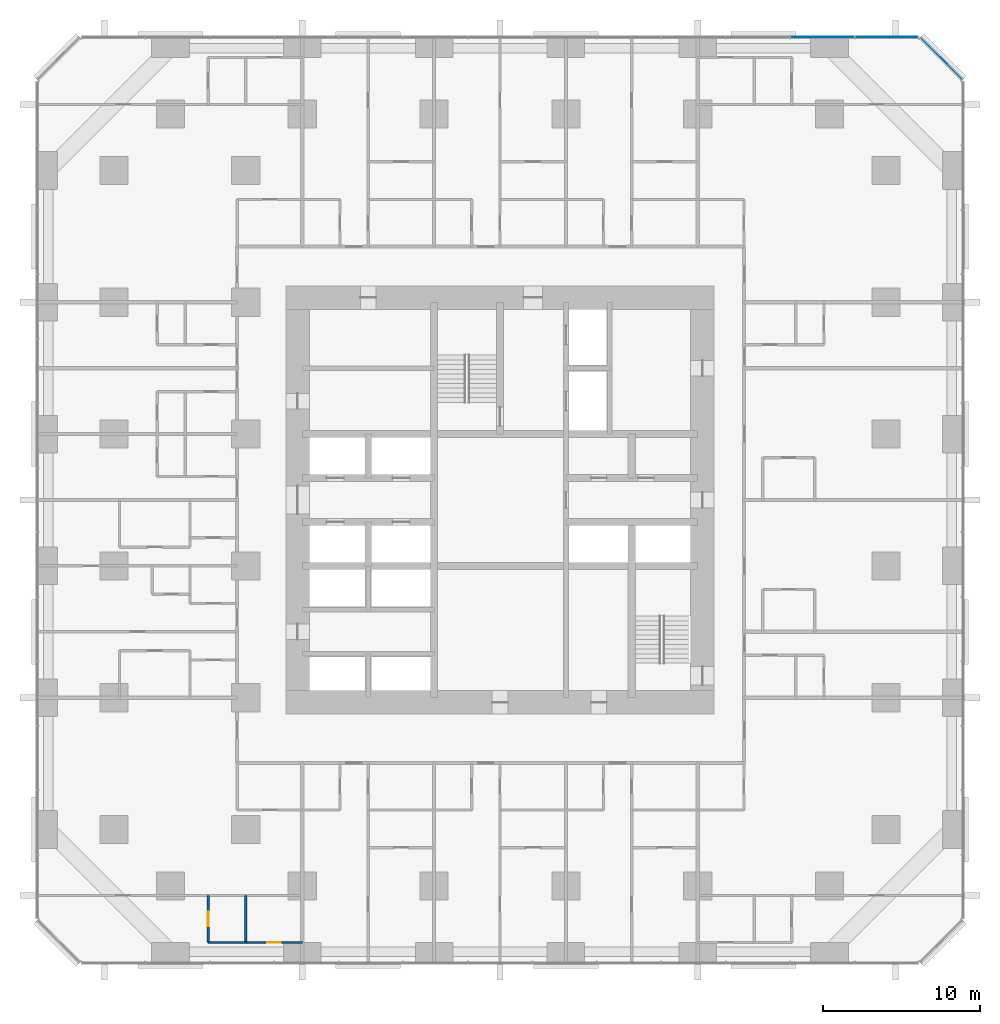
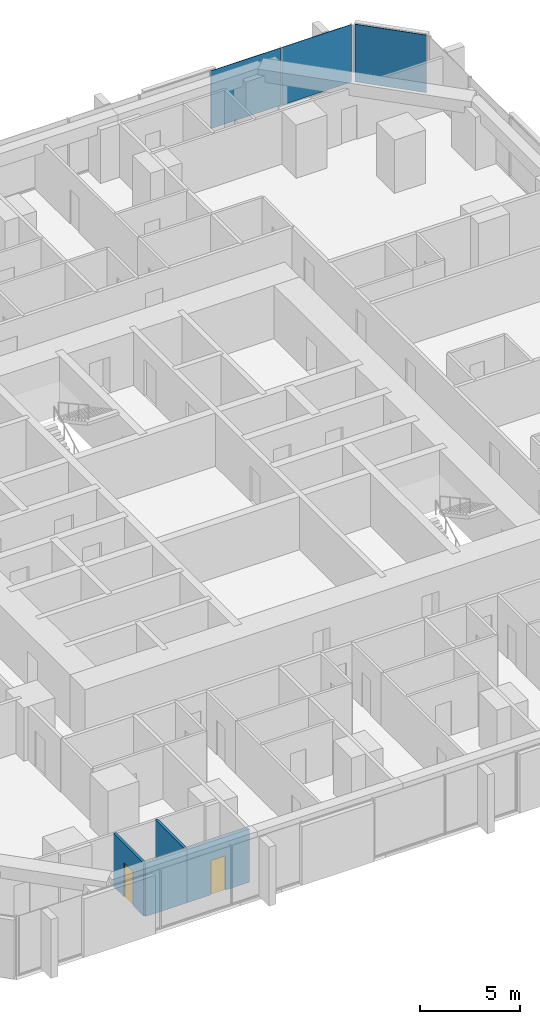
# One storey, part 10 of 17: 4 walls, 3 plates, 2 doors, 2 openings, 2 elements without a shape of their own.
"""IFC4 building model written with IfcOpenShell, lengths in metres."""

from ifc_helpers import new_model, si_unit, direction, frame, frame_2d, origin, origin_2d, place, context, subcontext, project, spatial, rectangle, extrude, material, layer, layer_set, type_object, element, fill, aggregate, save


model = new_model("IFC4")

# Units and contexts
model_context = context("Model", 3, precision=1e-05, world=origin(), true_north=direction((0.0, 1.0)))
body_context = subcontext(model_context, "Body", "Model", "MODEL_VIEW")
ifc_project = project(units=[si_unit("LENGTHUNIT", "METRE"), si_unit("AREAUNIT", "SQUARE_METRE"), si_unit("VOLUMEUNIT", "CUBIC_METRE"), si_unit("PLANEANGLEUNIT", "RADIAN"), si_unit("MASSUNIT", "GRAM", prefix="KILO")], contexts=[model_context])

# Site, building, storey
site_placement = place(None, origin())
site = spatial("IfcSite", under=ifc_project, at=site_placement, CompositionType="ELEMENT")
building_placement = place(site_placement, origin())
building = spatial("IfcBuilding", under=site, at=building_placement, Name="Dunama Terrace Hotel", CompositionType="ELEMENT")
storey_placement = place(building_placement, frame((0.0, 0.0, 52.199951171875)))
storey = spatial("IfcBuildingStorey", under=building, at=storey_placement, Name="L12", CompositionType="ELEMENT", Elevation=52.199951171875)

# Curtain wall, plates
ifc_material_1 = material(Name="Aluminium curtain wall system", Category="aluminium")
curtain_wall_type = type_object("IfcCurtainWallType", Name="Unitised fritted glass wall CW-A", PredefinedType="NOTDEFINED", material=ifc_material_1)
curtain_wall_1_placement = place(storey_placement, origin())
curtain_wall_1 = element("IfcCurtainWall", 1, at=curtain_wall_1_placement, inside=storey, type_object=curtain_wall_type, Name="Unitised fritted glass wall CW-A L12", PredefinedType="NOTDEFINED")
ifc_material_2 = material(Name="Laminated glass", Category="glass")
ifc_layer_1 = layer(ifc_material_2, 0.030029296875)
ifc_layer_set_1 = layer_set([ifc_layer_1], Name="CWA clear glass panel")
plate_type_1 = type_object("IfcPlateType", Name="CWA clear glass panel", PredefinedType="CURTAIN_PANEL", material=ifc_layer_set_1)
plate_1_placement = place(storey_placement, frame((49.93798828125, 58.89990234375, 0.0751953125), z_axis=(0.0, 0.0, 1.0), x_axis=(-1.0, 0.0, 0.0)))
plate_1 = element("IfcPlate", 2, at=plate_1_placement, type_object=plate_type_1, Name="CWA clear glass panel", PredefinedType="CURTAIN_PANEL", context=body_context, shape_type="SweptSolid", body=[
    extrude(rectangle(XDim=4.042724609375, YDim=0.030029296875, at=origin_2d()), origin(), (0.0, 0.0, 1.0), 3.52490234375),
])
ifc_material_3 = material(Name="Fritted laminated glass", Category="glass")
ifc_layer_2 = layer(ifc_material_3, 0.030029296875)
ifc_layer_set_2 = layer_set([ifc_layer_2], Name="CWA fritted glass panel")
plate_type_2 = type_object("IfcPlateType", Name="CWA fritted glass panel", PredefinedType="CURTAIN_PANEL", material=ifc_layer_set_2)
plate_2_placement = place(storey_placement, frame((54.030029296875, 58.89990234375, 0.0751953125), z_axis=(0.0, 0.0, 1.0), x_axis=(-1.0, 0.0, 0.0)))
plate_2 = element("IfcPlate", 3, at=plate_2_placement, type_object=plate_type_2, Name="CWA fritted glass panel", PredefinedType="CURTAIN_PANEL", context=body_context, shape_type="SweptSolid", body=[
    extrude(rectangle(XDim=4.01025390625, YDim=0.030029296875, at=origin_2d()), origin(), (0.0, 0.0, 1.0), 3.52490234375),
])
aggregate(curtain_wall_1, [plate_2, plate_1])

# Curtain wall, plate
curtain_wall_2_placement = place(storey_placement, origin())
curtain_wall_2 = element("IfcCurtainWall", 4, at=curtain_wall_2_placement, inside=storey, type_object=curtain_wall_type, Name="Unitised fritted glass wall CW-A L12", PredefinedType="NOTDEFINED")
ifc_material_4 = material(Name="Laminated glass", Category="glass")
ifc_layer_3 = layer(ifc_material_4, 0.030029296875)
ifc_layer_set_3 = layer_set([ifc_layer_3], Name="CWA operable glass panel")
plate_type_3 = type_object("IfcPlateType", Name="CWA operable glass panel", PredefinedType="CURTAIN_PANEL", material=ifc_layer_set_3)
plate_3_placement = place(storey_placement, frame((57.52099609375, 57.52099609375, 0.0751953125), z_axis=(0.0, 0.0, 1.0), x_axis=(-0.707106781187, 0.707106781187, 0.0)))
plate_3 = element("IfcPlate", 5, at=plate_3_placement, type_object=plate_type_3, Name="CWA operable glass panel", PredefinedType="CURTAIN_PANEL", context=body_context, shape_type="SweptSolid", body=[
    extrude(rectangle(XDim=3.6884765625, YDim=0.030029296875, at=origin_2d()), origin(), (0.0, 0.0, 1.0), 3.52490234375),
])
aggregate(curtain_wall_2, [plate_3])

# Wall, opening, door
ifc_material_5 = material(Name="Gypsum board partition", Category="masonry")
ifc_layer_4 = layer(ifc_material_5, 0.14990234375)
ifc_layer_set_4 = layer_set([ifc_layer_4], Name="Bathroom partition 150")
wall_type_1 = type_object("IfcWallType", Name="Bathroom partition 150", PredefinedType="PARTITIONING", material=ifc_layer_set_4)
wall_1_placement = place(storey_placement, frame((13.199951171875, 1.199951171875, 0.0), z_axis=(0.0, 0.0, 1.0), x_axis=(1.0, 0.0, 0.0)))
wall_1 = element("IfcWall", 6, at=wall_1_placement, inside=storey, type_object=wall_type_1, Name="Bathroom partition 150 L12", PredefinedType="PARTITIONING", context=body_context, shape_type="SweptSolid", body=[
    extrude(rectangle(XDim=3.60009765625, YDim=0.14990234375, at=frame_2d((1.800048828125, 0.0))), origin(), (0.0, 0.0, 1.0), 3.25),
])
opening_1_placement = place(wall_1_placement, frame((1.375, 0.0, 0.0)))
opening_1 = element("IfcOpeningElement", 7, at=opening_1_placement, cuts=wall_1, Name="Opening L12-070", PredefinedType="OPENING", context=body_context, shape_type="SweptSolid", body=[
    extrude(rectangle(XDim=0.85009765625, YDim=2.10009765625, at=frame_2d((0.425048828125, 1.050048828125))), frame((0.0, 0.0849609375, 0.0), z_axis=(0.0, -1.0, 0.0), x_axis=(1.0, 0.0, 0.0)), (0.0, 0.0, 1.0), 0.169921875),
])
ifc_material_6 = material(Name="Timber door with steel frame", Category="steel")
door_type_1 = type_object("IfcDoorType", Name="Bathroom door 850", OperationType="SINGLE_SWING_LEFT", PredefinedType="DOOR", material=ifc_material_6)
door_1_placement = place(opening_1_placement, origin())
door_1 = element("IfcDoor", 8, at=door_1_placement, inside=storey, type_object=door_type_1, Name="Door to en-suite bathroom L12-070, type D2", OperationType="SINGLE_SWING_RIGHT", OverallHeight=2.10009765625, OverallWidth=0.85009765625, PredefinedType="DOOR", context=body_context, shape_type="SweptSolid", body=[
    extrude(rectangle(XDim=0.85009765625, YDim=2.10009765625, at=frame_2d((0.425048828125, 1.050048828125))), frame((0.0, 0.02490234375, 0.0), z_axis=(0.0, -1.0, 0.0), x_axis=(1.0, 0.0, 0.0)), (0.0, 0.0, 1.0), 0.050048828125),
])
fill(opening_1, door_1)

ifc_material_7 = material(Name="Gypsum board partition", Category="masonry")
ifc_layer_5 = layer(ifc_material_7, 0.14990234375)
ifc_layer_set_5 = layer_set([ifc_layer_5], Name="Room partition 150")
wall_type_2 = type_object("IfcWallType", Name="Room partition 150", PredefinedType="PARTITIONING", material=ifc_layer_set_5)
wall_2_placement = place(storey_placement, frame((10.800048828125, 1.199951171875, 0.0), z_axis=(0.0, 0.0, 1.0), x_axis=(0.0, 1.0, 0.0)))
wall_2 = element("IfcWall", 9, at=wall_2_placement, inside=storey, type_object=wall_type_2, Name="Room partition 150 L12", PredefinedType="PARTITIONING", context=body_context, shape_type="SweptSolid", body=[
    extrude(rectangle(XDim=3.0, YDim=0.14990234375, at=frame_2d((1.5, 0.0))), origin(), (0.0, 0.0, 1.0), 3.25),
])
opening_2_placement = place(wall_2_placement, frame((1.050048828125, 0.0, 0.0)))
opening_2 = element("IfcOpeningElement", 10, at=opening_2_placement, cuts=wall_2, Name="Opening L12-071", PredefinedType="OPENING", context=body_context, shape_type="SweptSolid", body=[
    extrude(rectangle(XDim=0.89990234375, YDim=2.10009765625, at=frame_2d((0.449951171875, 1.050048828125))), frame((0.0, 0.0849609375, 0.0), z_axis=(0.0, -1.0, 0.0), x_axis=(1.0, 0.0, 0.0)), (0.0, 0.0, 1.0), 0.169921875),
])
ifc_material_8 = material(Name="Timber door with steel frame", Category="steel")
door_type_2 = type_object("IfcDoorType", Name="Suite internal door 900", OperationType="SINGLE_SWING_LEFT", PredefinedType="DOOR", material=ifc_material_8)
door_2_placement = place(opening_2_placement, frame((0.89990234375, 0.0, 0.0), z_axis=(0.0, 0.0, 1.0), x_axis=(-1.0, 0.0, 0.0)))
door_2 = element("IfcDoor", 11, at=door_2_placement, inside=storey, type_object=door_type_2, Name="Door to dressing room L12-071, type D16", OperationType="SINGLE_SWING_RIGHT", OverallHeight=2.10009765625, OverallWidth=0.89990234375, PredefinedType="DOOR", context=body_context, shape_type="SweptSolid", body=[
    extrude(rectangle(XDim=0.89990234375, YDim=2.10009765625, at=frame_2d((0.449951171875, 1.050048828125))), frame((0.0, 0.025146484375, 0.0), z_axis=(0.0, -1.0, 0.0), x_axis=(1.0, 0.0, 0.0)), (0.0, 0.0, 1.0), 0.050048828125),
])
fill(opening_2, door_2)

# Walls
wall_3_placement = place(storey_placement, frame((13.199951171875, 1.199951171875, 0.0), z_axis=(0.0, 0.0, 1.0), x_axis=(0.0, 1.0, 0.0)))
element("IfcWall", 12, at=wall_3_placement, inside=storey, type_object=wall_type_2, Name="Room partition 150 L12", PredefinedType="PARTITIONING", context=body_context, shape_type="SweptSolid", body=[
    extrude(rectangle(XDim=3.0, YDim=0.14990234375, at=frame_2d((1.5, 0.0))), origin(), (0.0, 0.0, 1.0), 3.25),
])
wall_4_placement = place(storey_placement, frame((10.800048828125, 1.199951171875, 0.0), z_axis=(0.0, 0.0, 1.0), x_axis=(1.0, 0.0, 0.0)))
element("IfcWall", 13, at=wall_4_placement, inside=storey, type_object=wall_type_2, Name="Room partition 150 L12", PredefinedType="PARTITIONING", context=body_context, shape_type="SweptSolid", body=[
    extrude(rectangle(XDim=2.39990234375, YDim=0.14990234375, at=frame_2d((1.199951171875, 0.0))), origin(), (0.0, 0.0, 1.0), 3.25),
])

save(model, "model.ifc")
